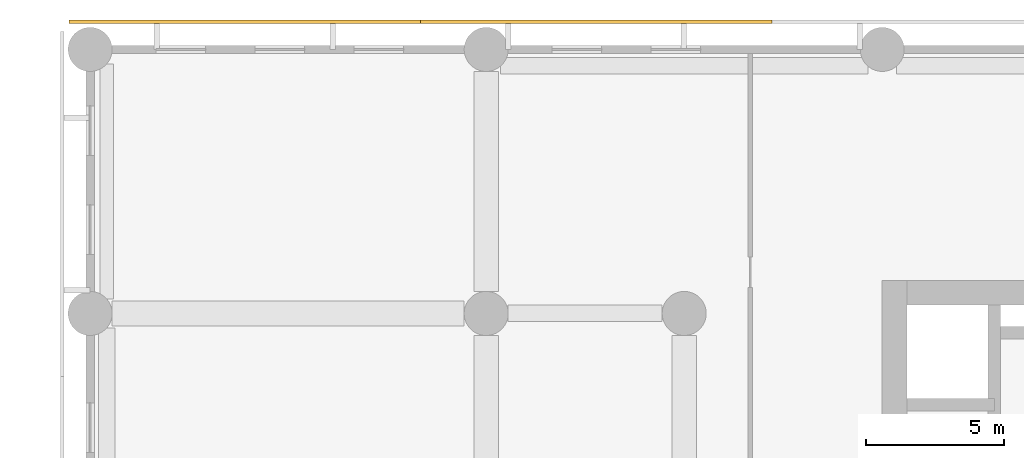
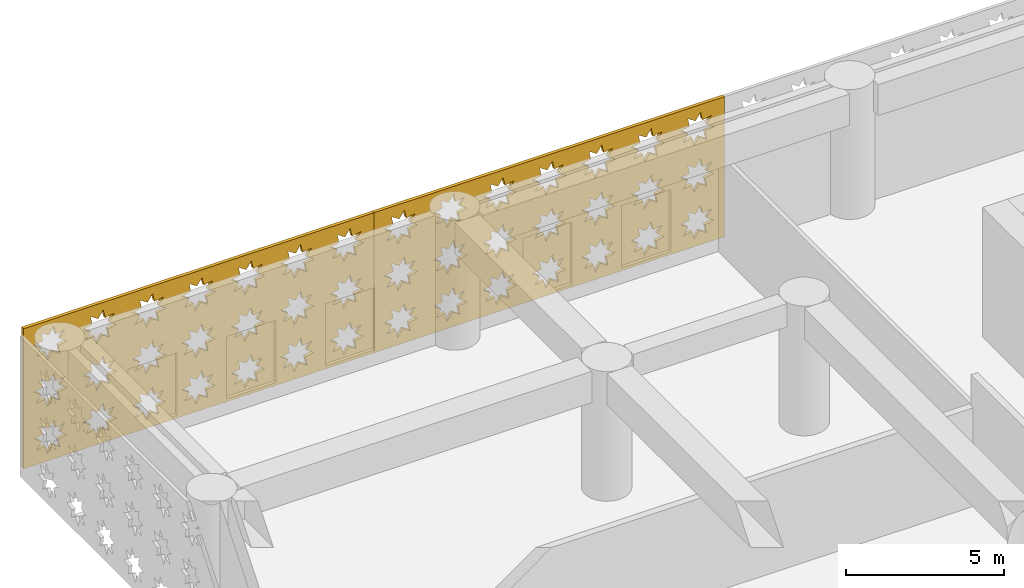
# One storey, part 25 of 30: 2 coverings.
"""IFC4 building model written with IfcOpenShell, lengths in metres."""

from ifc_helpers import new_model, si_unit, direction, frame, origin, place, context, subcontext, project, spatial, polyline, outline, extrude, material, layer, layer_set, type_object, element, save


model = new_model("IFC4")

# Units and contexts
model_context = context("Model", 3, precision=1e-05, world=origin(), true_north=direction((0.0, 1.0)))
body_context = subcontext(model_context, "Body", "Model", "MODEL_VIEW")
ifc_project = project(units=[si_unit("LENGTHUNIT", "METRE"), si_unit("AREAUNIT", "SQUARE_METRE"), si_unit("VOLUMEUNIT", "CUBIC_METRE"), si_unit("PLANEANGLEUNIT", "RADIAN"), si_unit("MASSUNIT", "GRAM", prefix="KILO")], contexts=[model_context])

# Site, building, storey
site_placement = place(None, origin())
site = spatial("IfcSite", under=ifc_project, at=site_placement, CompositionType="ELEMENT")
building_placement = place(site_placement, origin())
building = spatial("IfcBuilding", under=site, at=building_placement, Name="Saffron Iwan Residences", CompositionType="ELEMENT")
storey_placement = place(building_placement, frame((0.0, 0.0, 7.800048828125)))
storey = spatial("IfcBuildingStorey", under=building, at=storey_placement, Name="L01", CompositionType="ELEMENT", Elevation=7.800048828125)

# Coverings
ifc_material = material(Name="Terracotta screen, precast concrete C40/50", Category="masonry")
ifc_layer = layer(ifc_material, 0.1201171875)
ifc_layer_set = layer_set([ifc_layer], Name="Terracotta screen, precast concrete C40/50")
covering_type = type_object("IfcCoveringType", Name="PODIUM SCREEN GIRIH", PredefinedType="CLADDING", material=ifc_layer_set)
covering_1_placement = place(storey_placement, frame((24.784912109375, 87.35009765625, -0.400146484375), z_axis=(0.0, 1.0, 0.0), x_axis=(-1.0, 0.0, 0.0)))
element("IfcCovering", 1, at=covering_1_placement, inside=storey, type_object=covering_type, Name="SCREEN girih terracotta L01 F2.6", PredefinedType="CLADDING", context=body_context, shape_type="SweptSolid", body=[
    extrude(outline(polyline([(0.0, 0.0), (12.777587890625, 0.0), (12.777587890625, 5.39990234375), (0.0, 5.39990234375), (0.0, 0.0)]), holes=[polyline([(1.5966796875, 1.02099609375), (1.271484375, 1.0888671875), (1.333251953125, 1.41552734375), (1.05517578125, 1.2333984375), (0.867919921875, 1.508056640625), (0.7998046875, 1.1826171875), (0.47314453125, 1.244384765625), (0.6552734375, 0.96630859375), (0.380615234375, 0.779052734375), (0.7060546875, 0.711181640625), (0.644287109375, 0.384521484375), (0.92236328125, 0.56640625), (1.109619140625, 0.2919921875), (1.177490234375, 0.6171875), (1.50439453125, 0.555419921875), (1.322265625, 0.833740234375), (1.5966796875, 1.02099609375)]), polyline([(1.5966796875, 2.821044921875), (1.271484375, 2.888916015625), (1.333251953125, 3.215576171875), (1.05517578125, 3.033447265625), (0.867919921875, 3.30810546875), (0.7998046875, 2.982666015625), (0.47314453125, 3.04443359375), (0.6552734375, 2.766357421875), (0.380615234375, 2.5791015625), (0.7060546875, 2.510986328125), (0.644287109375, 2.1845703125), (0.92236328125, 2.366455078125), (1.109619140625, 2.091796875), (1.177490234375, 2.417236328125), (1.50439453125, 2.35546875), (1.322265625, 2.6337890625), (1.5966796875, 2.821044921875)]), polyline([(1.5966796875, 4.62109375), (1.271484375, 4.68896484375), (1.333251953125, 5.015380859375), (1.05517578125, 4.83349609375), (0.867919921875, 5.108154296875), (0.7998046875, 4.78271484375), (0.47314453125, 4.844482421875), (0.6552734375, 4.56640625), (0.380615234375, 4.37890625), (0.7060546875, 4.31103515625), (0.644287109375, 3.984619140625), (0.92236328125, 4.16650390625), (1.109619140625, 3.891845703125), (1.177490234375, 4.21728515625), (1.50439453125, 4.155517578125), (1.322265625, 4.43359375), (1.5966796875, 4.62109375)]), polyline([(3.396728515625, 1.02099609375), (3.0712890625, 1.0888671875), (3.13330078125, 1.41552734375), (2.85498046875, 1.2333984375), (2.667724609375, 1.508056640625), (2.599853515625, 1.1826171875), (2.273193359375, 1.244384765625), (2.455322265625, 0.96630859375), (2.1806640625, 0.779052734375), (2.506103515625, 0.711181640625), (2.4443359375, 0.384521484375), (2.722412109375, 0.56640625), (2.90966796875, 0.2919921875), (2.9775390625, 0.6171875), (3.30419921875, 0.555419921875), (3.122314453125, 0.833740234375), (3.396728515625, 1.02099609375)]), polyline([(3.396728515625, 2.821044921875), (3.0712890625, 2.888916015625), (3.13330078125, 3.215576171875), (2.85498046875, 3.033447265625), (2.667724609375, 3.30810546875), (2.599853515625, 2.982666015625), (2.273193359375, 3.04443359375), (2.455322265625, 2.766357421875), (2.1806640625, 2.5791015625), (2.506103515625, 2.510986328125), (2.4443359375, 2.1845703125), (2.722412109375, 2.366455078125), (2.90966796875, 2.091796875), (2.9775390625, 2.417236328125), (3.30419921875, 2.35546875), (3.122314453125, 2.6337890625), (3.396728515625, 2.821044921875)]), polyline([(3.396728515625, 4.62109375), (3.0712890625, 4.68896484375), (3.13330078125, 5.015380859375), (2.85498046875, 4.83349609375), (2.667724609375, 5.108154296875), (2.599853515625, 4.78271484375), (2.273193359375, 4.844482421875), (2.455322265625, 4.56640625), (2.1806640625, 4.37890625), (2.506103515625, 4.31103515625), (2.4443359375, 3.984619140625), (2.722412109375, 4.16650390625), (2.90966796875, 3.891845703125), (2.9775390625, 4.21728515625), (3.30419921875, 4.155517578125), (3.122314453125, 4.43359375), (3.396728515625, 4.62109375)]), polyline([(5.19677734375, 1.02099609375), (4.871337890625, 1.0888671875), (4.93310546875, 1.41552734375), (4.655029296875, 1.2333984375), (4.4677734375, 1.508056640625), (4.39990234375, 1.1826171875), (4.0732421875, 1.244384765625), (4.25537109375, 0.96630859375), (3.980712890625, 0.779052734375), (4.30615234375, 0.711181640625), (4.244384765625, 0.384521484375), (4.5224609375, 0.56640625), (4.709716796875, 0.2919921875), (4.777587890625, 0.6171875), (5.104248046875, 0.555419921875), (4.922119140625, 0.833740234375), (5.19677734375, 1.02099609375)]), polyline([(5.19677734375, 2.821044921875), (4.871337890625, 2.888916015625), (4.93310546875, 3.215576171875), (4.655029296875, 3.033447265625), (4.4677734375, 3.30810546875), (4.39990234375, 2.982666015625), (4.0732421875, 3.04443359375), (4.25537109375, 2.766357421875), (3.980712890625, 2.5791015625), (4.30615234375, 2.510986328125), (4.244384765625, 2.1845703125), (4.5224609375, 2.366455078125), (4.709716796875, 2.091796875), (4.777587890625, 2.417236328125), (5.104248046875, 2.35546875), (4.922119140625, 2.6337890625), (5.19677734375, 2.821044921875)]), polyline([(5.19677734375, 4.62109375), (4.871337890625, 4.68896484375), (4.93310546875, 5.015380859375), (4.655029296875, 4.83349609375), (4.4677734375, 5.108154296875), (4.39990234375, 4.78271484375), (4.0732421875, 4.844482421875), (4.25537109375, 4.56640625), (3.980712890625, 4.37890625), (4.30615234375, 4.31103515625), (4.244384765625, 3.984619140625), (4.5224609375, 4.16650390625), (4.709716796875, 3.891845703125), (4.777587890625, 4.21728515625), (5.104248046875, 4.155517578125), (4.922119140625, 4.43359375), (5.19677734375, 4.62109375)]), polyline([(6.996826171875, 1.02099609375), (6.67138671875, 1.0888671875), (6.733154296875, 1.41552734375), (6.455078125, 1.2333984375), (6.267822265625, 1.508056640625), (6.199951171875, 1.1826171875), (5.873291015625, 1.244384765625), (6.055419921875, 0.96630859375), (5.78076171875, 0.779052734375), (6.106201171875, 0.711181640625), (6.044189453125, 0.384521484375), (6.322509765625, 0.56640625), (6.509765625, 0.2919921875), (6.57763671875, 0.6171875), (6.904296875, 0.555419921875), (6.72216796875, 0.833740234375), (6.996826171875, 1.02099609375)]), polyline([(6.996826171875, 2.821044921875), (6.67138671875, 2.888916015625), (6.733154296875, 3.215576171875), (6.455078125, 3.033447265625), (6.267822265625, 3.30810546875), (6.199951171875, 2.982666015625), (5.873291015625, 3.04443359375), (6.055419921875, 2.766357421875), (5.78076171875, 2.5791015625), (6.106201171875, 2.510986328125), (6.044189453125, 2.1845703125), (6.322509765625, 2.366455078125), (6.509765625, 2.091796875), (6.57763671875, 2.417236328125), (6.904296875, 2.35546875), (6.72216796875, 2.6337890625), (6.996826171875, 2.821044921875)]), polyline([(6.996826171875, 4.62109375), (6.67138671875, 4.68896484375), (6.733154296875, 5.015380859375), (6.455078125, 4.83349609375), (6.267822265625, 5.108154296875), (6.199951171875, 4.78271484375), (5.873291015625, 4.844482421875), (6.055419921875, 4.56640625), (5.78076171875, 4.37890625), (6.106201171875, 4.31103515625), (6.044189453125, 3.984619140625), (6.322509765625, 4.16650390625), (6.509765625, 3.891845703125), (6.57763671875, 4.21728515625), (6.904296875, 4.155517578125), (6.72216796875, 4.43359375), (6.996826171875, 4.62109375)]), polyline([(8.796875, 1.02099609375), (8.471435546875, 1.0888671875), (8.533203125, 1.41552734375), (8.255126953125, 1.2333984375), (8.06787109375, 1.508056640625), (8.0, 1.1826171875), (7.673095703125, 1.244384765625), (7.855224609375, 0.96630859375), (7.580810546875, 0.779052734375), (7.906005859375, 0.711181640625), (7.84423828125, 0.384521484375), (8.122314453125, 0.56640625), (8.309814453125, 0.2919921875), (8.377685546875, 0.6171875), (8.704345703125, 0.555419921875), (8.522216796875, 0.833740234375), (8.796875, 1.02099609375)]), polyline([(8.796875, 2.821044921875), (8.471435546875, 2.888916015625), (8.533203125, 3.215576171875), (8.255126953125, 3.033447265625), (8.06787109375, 3.30810546875), (8.0, 2.982666015625), (7.673095703125, 3.04443359375), (7.855224609375, 2.766357421875), (7.580810546875, 2.5791015625), (7.906005859375, 2.510986328125), (7.84423828125, 2.1845703125), (8.122314453125, 2.366455078125), (8.309814453125, 2.091796875), (8.377685546875, 2.417236328125), (8.704345703125, 2.35546875), (8.522216796875, 2.6337890625), (8.796875, 2.821044921875)]), polyline([(8.796875, 4.62109375), (8.471435546875, 4.68896484375), (8.533203125, 5.015380859375), (8.255126953125, 4.83349609375), (8.06787109375, 5.108154296875), (8.0, 4.78271484375), (7.673095703125, 4.844482421875), (7.855224609375, 4.56640625), (7.580810546875, 4.37890625), (7.906005859375, 4.31103515625), (7.84423828125, 3.984619140625), (8.122314453125, 4.16650390625), (8.309814453125, 3.891845703125), (8.377685546875, 4.21728515625), (8.704345703125, 4.155517578125), (8.522216796875, 4.43359375), (8.796875, 4.62109375)]), polyline([(10.5966796875, 1.02099609375), (10.271484375, 1.0888671875), (10.333251953125, 1.41552734375), (10.05517578125, 1.2333984375), (9.867919921875, 1.508056640625), (9.7998046875, 1.1826171875), (9.47314453125, 1.244384765625), (9.6552734375, 0.96630859375), (9.380615234375, 0.779052734375), (9.7060546875, 0.711181640625), (9.644287109375, 0.384521484375), (9.92236328125, 0.56640625), (10.109619140625, 0.2919921875), (10.177490234375, 0.6171875), (10.50439453125, 0.555419921875), (10.322265625, 0.833740234375), (10.5966796875, 1.02099609375)]), polyline([(10.5966796875, 2.821044921875), (10.271484375, 2.888916015625), (10.333251953125, 3.215576171875), (10.05517578125, 3.033447265625), (9.867919921875, 3.30810546875), (9.7998046875, 2.982666015625), (9.47314453125, 3.04443359375), (9.6552734375, 2.766357421875), (9.380615234375, 2.5791015625), (9.7060546875, 2.510986328125), (9.644287109375, 2.1845703125), (9.92236328125, 2.366455078125), (10.109619140625, 2.091796875), (10.177490234375, 2.417236328125), (10.50439453125, 2.35546875), (10.322265625, 2.6337890625), (10.5966796875, 2.821044921875)]), polyline([(10.5966796875, 4.62109375), (10.271484375, 4.68896484375), (10.333251953125, 5.015380859375), (10.05517578125, 4.83349609375), (9.867919921875, 5.108154296875), (9.7998046875, 4.78271484375), (9.47314453125, 4.844482421875), (9.6552734375, 4.56640625), (9.380615234375, 4.37890625), (9.7060546875, 4.31103515625), (9.644287109375, 3.984619140625), (9.92236328125, 4.16650390625), (10.109619140625, 3.891845703125), (10.177490234375, 4.21728515625), (10.50439453125, 4.155517578125), (10.322265625, 4.43359375), (10.5966796875, 4.62109375)]), polyline([(12.396728515625, 1.02099609375), (12.0712890625, 1.0888671875), (12.13330078125, 1.41552734375), (11.85498046875, 1.2333984375), (11.667724609375, 1.508056640625), (11.599853515625, 1.1826171875), (11.273193359375, 1.244384765625), (11.455322265625, 0.96630859375), (11.1806640625, 0.779052734375), (11.506103515625, 0.711181640625), (11.4443359375, 0.384521484375), (11.722412109375, 0.56640625), (11.90966796875, 0.2919921875), (11.9775390625, 0.6171875), (12.30419921875, 0.555419921875), (12.122314453125, 0.833740234375), (12.396728515625, 1.02099609375)]), polyline([(12.396728515625, 2.821044921875), (12.0712890625, 2.888916015625), (12.13330078125, 3.215576171875), (11.85498046875, 3.033447265625), (11.667724609375, 3.30810546875), (11.599853515625, 2.982666015625), (11.273193359375, 3.04443359375), (11.455322265625, 2.766357421875), (11.1806640625, 2.5791015625), (11.506103515625, 2.510986328125), (11.4443359375, 2.1845703125), (11.722412109375, 2.366455078125), (11.90966796875, 2.091796875), (11.9775390625, 2.417236328125), (12.30419921875, 2.35546875), (12.122314453125, 2.6337890625), (12.396728515625, 2.821044921875)]), polyline([(12.396728515625, 4.62109375), (12.0712890625, 4.68896484375), (12.13330078125, 5.015380859375), (11.85498046875, 4.83349609375), (11.667724609375, 5.108154296875), (11.599853515625, 4.78271484375), (11.273193359375, 4.844482421875), (11.455322265625, 4.56640625), (11.1806640625, 4.37890625), (11.506103515625, 4.31103515625), (11.4443359375, 3.984619140625), (11.722412109375, 4.16650390625), (11.90966796875, 3.891845703125), (11.9775390625, 4.21728515625), (12.30419921875, 4.155517578125), (12.122314453125, 4.43359375), (12.396728515625, 4.62109375)])]), origin(), (0.0, 0.0, 1.0), 0.119873046875),
])
covering_2_placement = place(storey_placement, frame((12.007568359375, 87.35009765625, -0.400146484375), z_axis=(0.0, 1.0, 0.0), x_axis=(-1.0, 0.0, 0.0)))
element("IfcCovering", 2, at=covering_2_placement, inside=storey, type_object=covering_type, Name="SCREEN girih terracotta L01 F2.7", PredefinedType="CLADDING", context=body_context, shape_type="SweptSolid", body=[
    extrude(outline(polyline([(0.0, 0.0), (12.777587890625, 0.0), (12.777587890625, 5.39990234375), (0.0, 5.39990234375), (0.0, 0.0)]), holes=[polyline([(1.5966796875, 1.02099609375), (1.271484375, 1.0888671875), (1.333251953125, 1.41552734375), (1.05517578125, 1.2333984375), (0.867919921875, 1.508056640625), (0.7998046875, 1.1826171875), (0.47314453125, 1.244384765625), (0.6552734375, 0.96630859375), (0.380615234375, 0.779052734375), (0.7060546875, 0.711181640625), (0.644287109375, 0.384521484375), (0.92236328125, 0.56640625), (1.109619140625, 0.2919921875), (1.177490234375, 0.6171875), (1.50439453125, 0.555419921875), (1.322265625, 0.833740234375), (1.5966796875, 1.02099609375)]), polyline([(1.5966796875, 2.821044921875), (1.271484375, 2.888916015625), (1.333251953125, 3.215576171875), (1.05517578125, 3.033447265625), (0.867919921875, 3.30810546875), (0.7998046875, 2.982666015625), (0.47314453125, 3.04443359375), (0.6552734375, 2.766357421875), (0.380615234375, 2.5791015625), (0.7060546875, 2.510986328125), (0.644287109375, 2.1845703125), (0.92236328125, 2.366455078125), (1.109619140625, 2.091796875), (1.177490234375, 2.417236328125), (1.50439453125, 2.35546875), (1.322265625, 2.6337890625), (1.5966796875, 2.821044921875)]), polyline([(1.5966796875, 4.62109375), (1.271484375, 4.68896484375), (1.333251953125, 5.015380859375), (1.05517578125, 4.83349609375), (0.867919921875, 5.108154296875), (0.7998046875, 4.78271484375), (0.47314453125, 4.844482421875), (0.6552734375, 4.56640625), (0.380615234375, 4.37890625), (0.7060546875, 4.31103515625), (0.644287109375, 3.984619140625), (0.92236328125, 4.16650390625), (1.109619140625, 3.891845703125), (1.177490234375, 4.21728515625), (1.50439453125, 4.155517578125), (1.322265625, 4.43359375), (1.5966796875, 4.62109375)]), polyline([(3.396728515625, 1.02099609375), (3.0712890625, 1.0888671875), (3.13330078125, 1.41552734375), (2.85498046875, 1.2333984375), (2.667724609375, 1.508056640625), (2.599853515625, 1.1826171875), (2.273193359375, 1.244384765625), (2.455322265625, 0.96630859375), (2.1806640625, 0.779052734375), (2.506103515625, 0.711181640625), (2.4443359375, 0.384521484375), (2.722412109375, 0.56640625), (2.90966796875, 0.2919921875), (2.9775390625, 0.6171875), (3.30419921875, 0.555419921875), (3.122314453125, 0.833740234375), (3.396728515625, 1.02099609375)]), polyline([(3.396728515625, 2.821044921875), (3.0712890625, 2.888916015625), (3.13330078125, 3.215576171875), (2.85498046875, 3.033447265625), (2.667724609375, 3.30810546875), (2.599853515625, 2.982666015625), (2.273193359375, 3.04443359375), (2.455322265625, 2.766357421875), (2.1806640625, 2.5791015625), (2.506103515625, 2.510986328125), (2.4443359375, 2.1845703125), (2.722412109375, 2.366455078125), (2.90966796875, 2.091796875), (2.9775390625, 2.417236328125), (3.30419921875, 2.35546875), (3.122314453125, 2.6337890625), (3.396728515625, 2.821044921875)]), polyline([(3.396728515625, 4.62109375), (3.0712890625, 4.68896484375), (3.13330078125, 5.015380859375), (2.85498046875, 4.83349609375), (2.667724609375, 5.108154296875), (2.599853515625, 4.78271484375), (2.273193359375, 4.844482421875), (2.455322265625, 4.56640625), (2.1806640625, 4.37890625), (2.506103515625, 4.31103515625), (2.4443359375, 3.984619140625), (2.722412109375, 4.16650390625), (2.90966796875, 3.891845703125), (2.9775390625, 4.21728515625), (3.30419921875, 4.155517578125), (3.122314453125, 4.43359375), (3.396728515625, 4.62109375)]), polyline([(5.19677734375, 1.02099609375), (4.871337890625, 1.0888671875), (4.93310546875, 1.41552734375), (4.655029296875, 1.2333984375), (4.4677734375, 1.508056640625), (4.39990234375, 1.1826171875), (4.0732421875, 1.244384765625), (4.25537109375, 0.96630859375), (3.980712890625, 0.779052734375), (4.30615234375, 0.711181640625), (4.244384765625, 0.384521484375), (4.5224609375, 0.56640625), (4.709716796875, 0.2919921875), (4.777587890625, 0.6171875), (5.104248046875, 0.555419921875), (4.922119140625, 0.833740234375), (5.19677734375, 1.02099609375)]), polyline([(5.19677734375, 2.821044921875), (4.871337890625, 2.888916015625), (4.93310546875, 3.215576171875), (4.655029296875, 3.033447265625), (4.4677734375, 3.30810546875), (4.39990234375, 2.982666015625), (4.0732421875, 3.04443359375), (4.25537109375, 2.766357421875), (3.980712890625, 2.5791015625), (4.30615234375, 2.510986328125), (4.244384765625, 2.1845703125), (4.5224609375, 2.366455078125), (4.709716796875, 2.091796875), (4.777587890625, 2.417236328125), (5.104248046875, 2.35546875), (4.922119140625, 2.6337890625), (5.19677734375, 2.821044921875)]), polyline([(5.19677734375, 4.62109375), (4.871337890625, 4.68896484375), (4.93310546875, 5.015380859375), (4.655029296875, 4.83349609375), (4.4677734375, 5.108154296875), (4.39990234375, 4.78271484375), (4.0732421875, 4.844482421875), (4.25537109375, 4.56640625), (3.980712890625, 4.37890625), (4.30615234375, 4.31103515625), (4.244384765625, 3.984619140625), (4.5224609375, 4.16650390625), (4.709716796875, 3.891845703125), (4.777587890625, 4.21728515625), (5.104248046875, 4.155517578125), (4.922119140625, 4.43359375), (5.19677734375, 4.62109375)]), polyline([(6.996826171875, 1.02099609375), (6.67138671875, 1.0888671875), (6.733154296875, 1.41552734375), (6.455078125, 1.2333984375), (6.267822265625, 1.508056640625), (6.199951171875, 1.1826171875), (5.873291015625, 1.244384765625), (6.055419921875, 0.96630859375), (5.78076171875, 0.779052734375), (6.106201171875, 0.711181640625), (6.044189453125, 0.384521484375), (6.322509765625, 0.56640625), (6.509765625, 0.2919921875), (6.57763671875, 0.6171875), (6.904296875, 0.555419921875), (6.72216796875, 0.833740234375), (6.996826171875, 1.02099609375)]), polyline([(6.996826171875, 2.821044921875), (6.67138671875, 2.888916015625), (6.733154296875, 3.215576171875), (6.455078125, 3.033447265625), (6.267822265625, 3.30810546875), (6.199951171875, 2.982666015625), (5.873291015625, 3.04443359375), (6.055419921875, 2.766357421875), (5.78076171875, 2.5791015625), (6.106201171875, 2.510986328125), (6.044189453125, 2.1845703125), (6.322509765625, 2.366455078125), (6.509765625, 2.091796875), (6.57763671875, 2.417236328125), (6.904296875, 2.35546875), (6.72216796875, 2.6337890625), (6.996826171875, 2.821044921875)]), polyline([(6.996826171875, 4.62109375), (6.67138671875, 4.68896484375), (6.733154296875, 5.015380859375), (6.455078125, 4.83349609375), (6.267822265625, 5.108154296875), (6.199951171875, 4.78271484375), (5.873291015625, 4.844482421875), (6.055419921875, 4.56640625), (5.78076171875, 4.37890625), (6.106201171875, 4.31103515625), (6.044189453125, 3.984619140625), (6.322509765625, 4.16650390625), (6.509765625, 3.891845703125), (6.57763671875, 4.21728515625), (6.904296875, 4.155517578125), (6.72216796875, 4.43359375), (6.996826171875, 4.62109375)]), polyline([(8.796875, 1.02099609375), (8.471435546875, 1.0888671875), (8.533203125, 1.41552734375), (8.255126953125, 1.2333984375), (8.06787109375, 1.508056640625), (8.0, 1.1826171875), (7.673095703125, 1.244384765625), (7.855224609375, 0.96630859375), (7.580810546875, 0.779052734375), (7.906005859375, 0.711181640625), (7.84423828125, 0.384521484375), (8.122314453125, 0.56640625), (8.309814453125, 0.2919921875), (8.377685546875, 0.6171875), (8.704345703125, 0.555419921875), (8.522216796875, 0.833740234375), (8.796875, 1.02099609375)]), polyline([(8.796875, 2.821044921875), (8.471435546875, 2.888916015625), (8.533203125, 3.215576171875), (8.255126953125, 3.033447265625), (8.06787109375, 3.30810546875), (8.0, 2.982666015625), (7.673095703125, 3.04443359375), (7.855224609375, 2.766357421875), (7.580810546875, 2.5791015625), (7.906005859375, 2.510986328125), (7.84423828125, 2.1845703125), (8.122314453125, 2.366455078125), (8.309814453125, 2.091796875), (8.377685546875, 2.417236328125), (8.704345703125, 2.35546875), (8.522216796875, 2.6337890625), (8.796875, 2.821044921875)]), polyline([(8.796875, 4.62109375), (8.471435546875, 4.68896484375), (8.533203125, 5.015380859375), (8.255126953125, 4.83349609375), (8.06787109375, 5.108154296875), (8.0, 4.78271484375), (7.673095703125, 4.844482421875), (7.855224609375, 4.56640625), (7.580810546875, 4.37890625), (7.906005859375, 4.31103515625), (7.84423828125, 3.984619140625), (8.122314453125, 4.16650390625), (8.309814453125, 3.891845703125), (8.377685546875, 4.21728515625), (8.704345703125, 4.155517578125), (8.522216796875, 4.43359375), (8.796875, 4.62109375)]), polyline([(10.5966796875, 1.02099609375), (10.271484375, 1.0888671875), (10.333251953125, 1.41552734375), (10.05517578125, 1.2333984375), (9.867919921875, 1.508056640625), (9.7998046875, 1.1826171875), (9.47314453125, 1.244384765625), (9.6552734375, 0.96630859375), (9.380615234375, 0.779052734375), (9.7060546875, 0.711181640625), (9.644287109375, 0.384521484375), (9.92236328125, 0.56640625), (10.109619140625, 0.2919921875), (10.177490234375, 0.6171875), (10.50439453125, 0.555419921875), (10.322265625, 0.833740234375), (10.5966796875, 1.02099609375)]), polyline([(10.5966796875, 2.821044921875), (10.271484375, 2.888916015625), (10.333251953125, 3.215576171875), (10.05517578125, 3.033447265625), (9.867919921875, 3.30810546875), (9.7998046875, 2.982666015625), (9.47314453125, 3.04443359375), (9.6552734375, 2.766357421875), (9.380615234375, 2.5791015625), (9.7060546875, 2.510986328125), (9.644287109375, 2.1845703125), (9.92236328125, 2.366455078125), (10.109619140625, 2.091796875), (10.177490234375, 2.417236328125), (10.50439453125, 2.35546875), (10.322265625, 2.6337890625), (10.5966796875, 2.821044921875)]), polyline([(10.5966796875, 4.62109375), (10.271484375, 4.68896484375), (10.333251953125, 5.015380859375), (10.05517578125, 4.83349609375), (9.867919921875, 5.108154296875), (9.7998046875, 4.78271484375), (9.47314453125, 4.844482421875), (9.6552734375, 4.56640625), (9.380615234375, 4.37890625), (9.7060546875, 4.31103515625), (9.644287109375, 3.984619140625), (9.92236328125, 4.16650390625), (10.109619140625, 3.891845703125), (10.177490234375, 4.21728515625), (10.50439453125, 4.155517578125), (10.322265625, 4.43359375), (10.5966796875, 4.62109375)]), polyline([(12.396728515625, 1.02099609375), (12.0712890625, 1.0888671875), (12.13330078125, 1.41552734375), (11.85498046875, 1.2333984375), (11.667724609375, 1.508056640625), (11.599853515625, 1.1826171875), (11.273193359375, 1.244384765625), (11.455322265625, 0.96630859375), (11.1806640625, 0.779052734375), (11.506103515625, 0.711181640625), (11.4443359375, 0.384521484375), (11.722412109375, 0.56640625), (11.90966796875, 0.2919921875), (11.9775390625, 0.6171875), (12.30419921875, 0.555419921875), (12.122314453125, 0.833740234375), (12.396728515625, 1.02099609375)]), polyline([(12.396728515625, 2.821044921875), (12.0712890625, 2.888916015625), (12.13330078125, 3.215576171875), (11.85498046875, 3.033447265625), (11.667724609375, 3.30810546875), (11.599853515625, 2.982666015625), (11.273193359375, 3.04443359375), (11.455322265625, 2.766357421875), (11.1806640625, 2.5791015625), (11.506103515625, 2.510986328125), (11.4443359375, 2.1845703125), (11.722412109375, 2.366455078125), (11.90966796875, 2.091796875), (11.9775390625, 2.417236328125), (12.30419921875, 2.35546875), (12.122314453125, 2.6337890625), (12.396728515625, 2.821044921875)]), polyline([(12.396728515625, 4.62109375), (12.0712890625, 4.68896484375), (12.13330078125, 5.015380859375), (11.85498046875, 4.83349609375), (11.667724609375, 5.108154296875), (11.599853515625, 4.78271484375), (11.273193359375, 4.844482421875), (11.455322265625, 4.56640625), (11.1806640625, 4.37890625), (11.506103515625, 4.31103515625), (11.4443359375, 3.984619140625), (11.722412109375, 4.16650390625), (11.90966796875, 3.891845703125), (11.9775390625, 4.21728515625), (12.30419921875, 4.155517578125), (12.122314453125, 4.43359375), (12.396728515625, 4.62109375)])]), origin(), (0.0, 0.0, 1.0), 0.119873046875),
])

save(model, "model.ifc")
